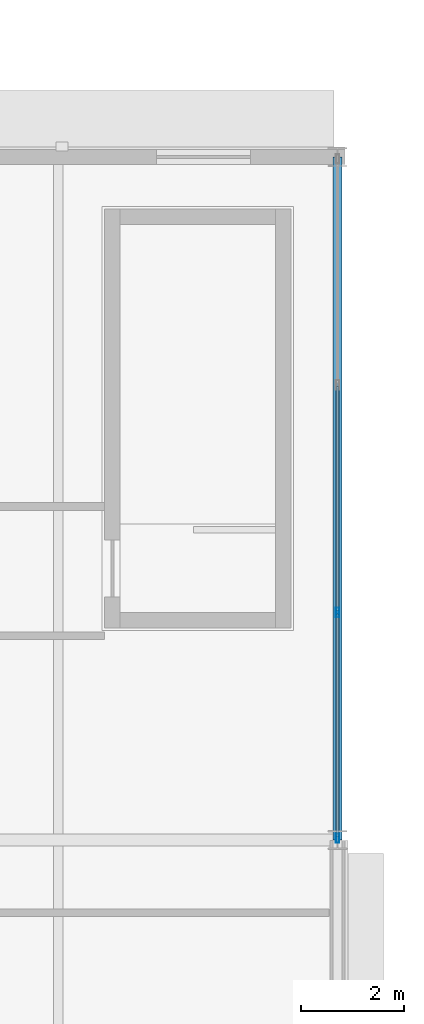
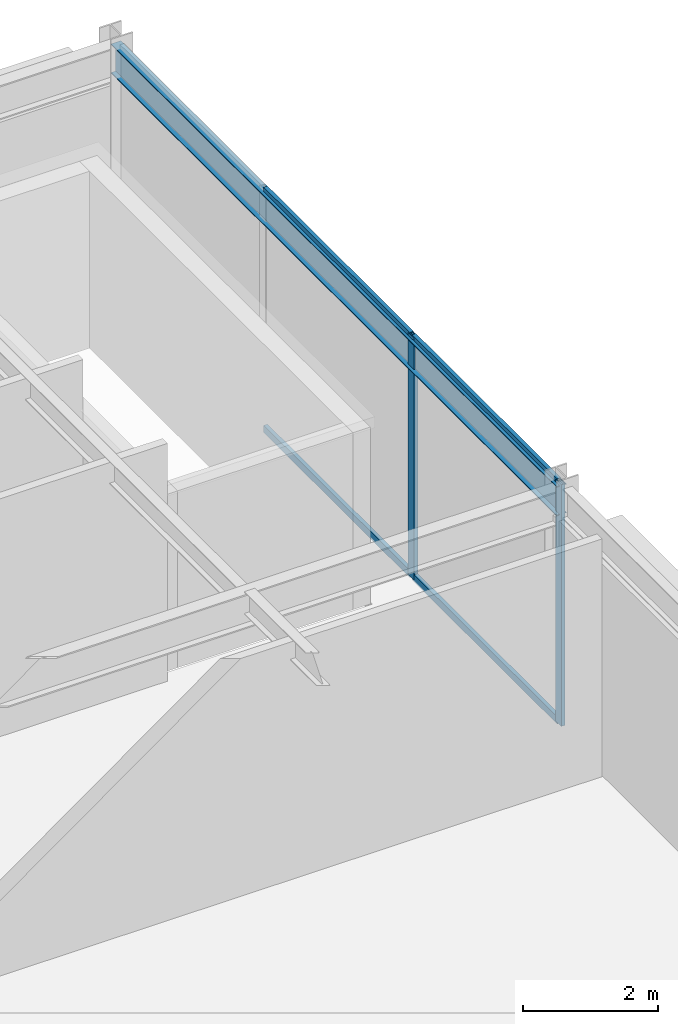
# One storey, part 24 of 50: 6 members, 1 beam, 1 element without a shape of its own.
"""IFC4 building model written with IfcOpenShell, lengths in metres."""

from ifc_helpers import new_model, si_unit, direction, frame, origin, origin_2d, place, context, subcontext, project, spatial, hollow_rectangle, i_section, extrude, material, material_profile, profile_set, type_object, element, aggregate, save


model = new_model("IFC4")

# Units and contexts
model_context = context("Model", 3, precision=1e-05, world=origin(), true_north=direction((0.0, 1.0)))
body_context = subcontext(model_context, "Body", "Model", "MODEL_VIEW")
ifc_project = project(units=[si_unit("LENGTHUNIT", "METRE"), si_unit("AREAUNIT", "SQUARE_METRE"), si_unit("VOLUMEUNIT", "CUBIC_METRE"), si_unit("PLANEANGLEUNIT", "RADIAN"), si_unit("MASSUNIT", "GRAM", prefix="KILO")], contexts=[model_context])

# Site, building, storey
site_placement = place(None, origin())
site = spatial("IfcSite", under=ifc_project, at=site_placement, CompositionType="ELEMENT")
building_placement = place(site_placement, origin())
building = spatial("IfcBuilding", under=site, at=building_placement, Name="Almandine Court Research Institute", CompositionType="ELEMENT")
storey_placement = place(building_placement, frame((0.0, 0.0, 23.449951171875)))
storey = spatial("IfcBuildingStorey", under=building, at=storey_placement, Name="L05", CompositionType="ELEMENT", Elevation=23.449951171875)

# Beam
ifc_material_1 = material(Name="Steel ASTM A992 Grade 50", Category="steel")
ifc_material_profile_1 = material_profile(ifc_material_1, i_section(OverallWidth=0.166015625, OverallDepth=0.534912109375, WebThickness=0.010009765625, FlangeThickness=0.01708984375, at=origin_2d()), Name="W530x85")
ifc_profile_set_1 = profile_set([ifc_material_profile_1], Name="Steel ASTM A992 Grade 50")
beam_type = type_object("IfcBeamType", Name="Beam-G-05-E", PredefinedType="SPANDREL", material=ifc_profile_set_1)
beam_placement = place(storey_placement, frame((174.0, 70.800048828125, 4.05615234375), z_axis=(0.0, 1.0, 0.0), x_axis=(-1.0, 0.0, 0.0)))
element("IfcBeam", 1, at=beam_placement, inside=storey, type_object=beam_type, Name="L05 V4 Primary Y Girder", PredefinedType="SPANDREL", context=body_context, shape_type="SweptSolid", body=[
    extrude(i_section(OverallWidth=0.166015625, OverallDepth=0.534912109375, WebThickness=0.010009765625, FlangeThickness=0.01708984375, at=origin_2d()), origin(), (0.0, 0.0, 1.0), 13.199951171875),
])

# Curtain wall, members
ifc_material_2 = material(Name="Unitised Curtain Wall Framing and Solar Glazing", Category="glass")
curtain_wall_type = type_object("IfcCurtainWallType", Name="CW-CWJ-16", PredefinedType="USERDEFINED", material=ifc_material_2)
curtain_wall_placement = place(storey_placement, origin())
curtain_wall = element("IfcCurtainWall", 2, at=curtain_wall_placement, inside=storey, type_object=curtain_wall_type, Name="L05 Wet Lab East Jali Curtain Wall 7", ObjectType="SOLAR JALI SCREEN", PredefinedType="USERDEFINED")
ifc_material_3 = material(Name="Anodised Aluminium AW-6063-T6", Category="aluminium")
ifc_material_profile_2 = material_profile(ifc_material_3, hollow_rectangle(XDim=0.06494140625, YDim=0.179931640625, WallThickness=0.00390625, at=origin_2d()), Name="ALU RHS 65x180x4")
ifc_profile_set_2 = profile_set([ifc_material_profile_2], Name="Anodised Aluminium AW-6063-T6")
member_type_1 = type_object("IfcMemberType", Name="CWMul-65x180", PredefinedType="MULLION", material=ifc_profile_set_2)
member_1_placement = place(storey_placement, frame((174.0, 75.201416015625, 0.0), z_axis=(0.0, 0.0, 1.0), x_axis=(1.0, 0.0, 0.0)))
member_1 = element("IfcMember", 3, at=member_1_placement, type_object=member_type_1, Name="CWJ-16 mullion 3", PredefinedType="MULLION", context=body_context, shape_type="SweptSolid", body=[
    extrude(hollow_rectangle(XDim=0.06494140625, YDim=0.179931640625, WallThickness=0.00390625, at=origin_2d()), origin(), (0.0, 0.0, 1.0), 4.3701171875),
])
member_2_placement = place(storey_placement, frame((174.0, 70.83642578125, 0.0), z_axis=(0.0, 0.0, 1.0), x_axis=(1.0, 0.0, 0.0)))
member_2 = element("IfcMember", 4, at=member_2_placement, type_object=member_type_1, Name="CWJ-16 mullion 4", PredefinedType="MULLION", context=body_context, shape_type="SweptSolid", body=[
    extrude(hollow_rectangle(XDim=0.06494140625, YDim=0.179931640625, WallThickness=0.00390625, at=origin_2d()), origin(), (0.0, 0.0, 1.0), 4.3701171875),
])
ifc_material_profile_3 = material_profile(ifc_material_3, hollow_rectangle(XDim=0.06494140625, YDim=0.1298828125, WallThickness=0.00390625, at=origin_2d()), Name="ALU RHS 65x130x4")
ifc_profile_set_3 = profile_set([ifc_material_profile_3], Name="Anodised Aluminium AW-6063-T6")
member_type_2 = type_object("IfcMemberType", Name="CWTrn-65x130", PredefinedType="NOTDEFINED", material=ifc_profile_set_3)
member_3_placement = place(storey_placement, frame((174.0, 79.566162109375, 0.032470703125), z_axis=(0.0, -1.0, 0.0), x_axis=(1.0, 0.0, 0.0)))
member_3 = element("IfcMember", 5, at=member_3_placement, type_object=member_type_2, Name="CWJ-16 transom 2.1", ObjectType="TRANSOM", PredefinedType="USERDEFINED", context=body_context, shape_type="SweptSolid", body=[
    extrude(hollow_rectangle(XDim=0.06494140625, YDim=0.1298828125, WallThickness=0.00390625, at=origin_2d()), origin(), (0.0, 0.0, 1.0), 4.332275390625),
])
member_4_placement = place(storey_placement, frame((174.0, 79.566162109375, 4.337646484375), z_axis=(0.0, -1.0, 0.0), x_axis=(1.0, 0.0, 0.0)))
member_4 = element("IfcMember", 6, at=member_4_placement, type_object=member_type_2, Name="CWJ-16 transom 2.2", ObjectType="TRANSOM", PredefinedType="USERDEFINED", context=body_context, shape_type="SweptSolid", body=[
    extrude(hollow_rectangle(XDim=0.06494140625, YDim=0.1298828125, WallThickness=0.00390625, at=origin_2d()), origin(), (0.0, 0.0, 1.0), 4.332275390625),
])
member_5_placement = place(storey_placement, frame((174.0, 75.1689453125, 0.032470703125), z_axis=(0.0, -1.0, 0.0), x_axis=(1.0, 0.0, 0.0)))
member_5 = element("IfcMember", 7, at=member_5_placement, type_object=member_type_2, Name="CWJ-16 transom 3.1", ObjectType="TRANSOM", PredefinedType="USERDEFINED", context=body_context, shape_type="SweptSolid", body=[
    extrude(hollow_rectangle(XDim=0.06494140625, YDim=0.1298828125, WallThickness=0.00390625, at=origin_2d()), origin(), (0.0, 0.0, 1.0), 4.300048828125),
])
member_6_placement = place(storey_placement, frame((174.0, 75.1689453125, 4.337646484375), z_axis=(0.0, -1.0, 0.0), x_axis=(1.0, 0.0, 0.0)))
member_6 = element("IfcMember", 8, at=member_6_placement, type_object=member_type_2, Name="CWJ-16 transom 3.2", ObjectType="TRANSOM", PredefinedType="USERDEFINED", context=body_context, shape_type="SweptSolid", body=[
    extrude(hollow_rectangle(XDim=0.06494140625, YDim=0.1298828125, WallThickness=0.00390625, at=origin_2d()), origin(), (0.0, 0.0, 1.0), 4.300048828125),
])
aggregate(curtain_wall, [member_1, member_2, member_3, member_4, member_5, member_6])

save(model, "model.ifc")
